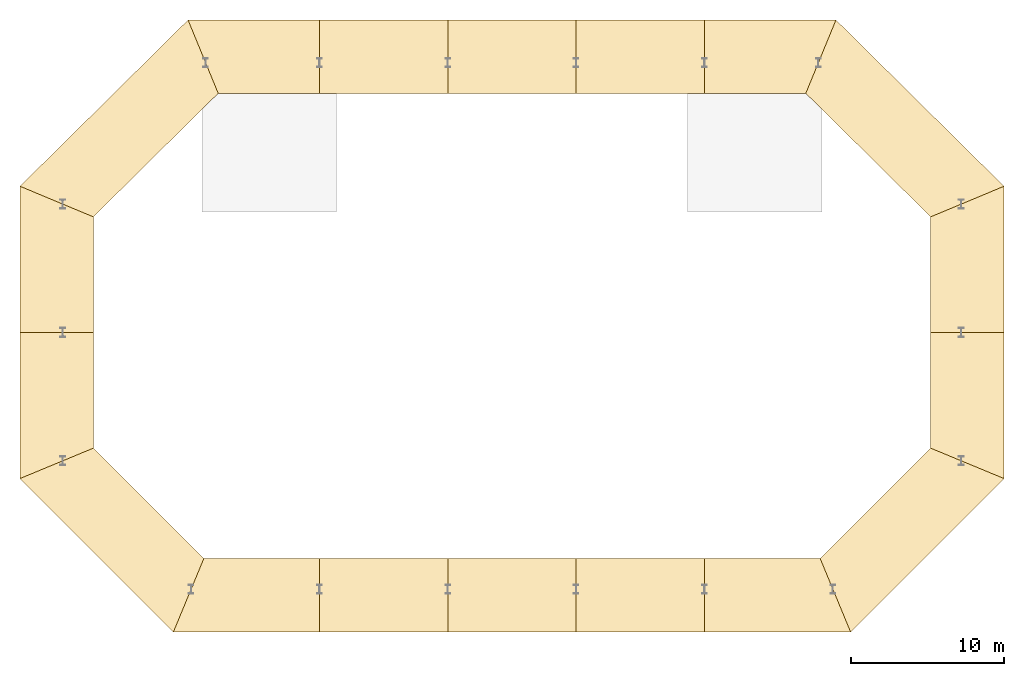
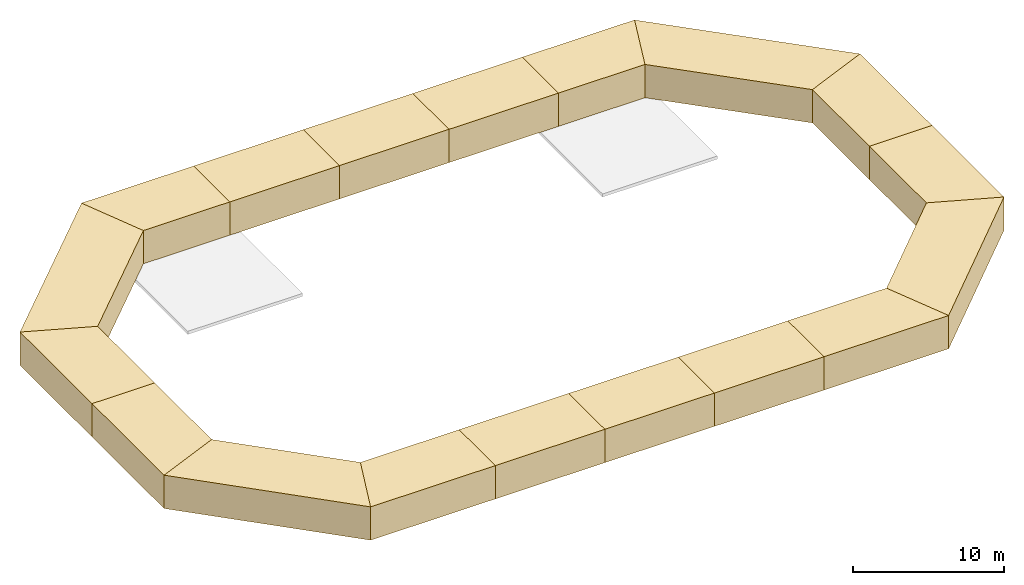
# One storey, part 3 of 3: 18 coverings.
"""IFC4 building model written with IfcOpenShell, lengths in metres."""

from ifc_helpers import new_model, si_unit, direction, frame, origin, place, context, subcontext, project, spatial, polyline, outline, extrude, material, layer, layer_set, type_object, element, save


model = new_model("IFC4")

# Units and contexts
model_context = context("Model", 3, precision=1e-05, world=origin(), true_north=direction((0.0, 1.0)))
body_context = subcontext(model_context, "Body", "Model", "MODEL_VIEW")
ifc_project = project(units=[si_unit("LENGTHUNIT", "METRE"), si_unit("AREAUNIT", "SQUARE_METRE"), si_unit("VOLUMEUNIT", "CUBIC_METRE"), si_unit("PLANEANGLEUNIT", "RADIAN"), si_unit("MASSUNIT", "GRAM", prefix="KILO")], contexts=[model_context])

# Site, building, storey
site_placement = place(None, origin())
site = spatial("IfcSite", under=ifc_project, at=site_placement, CompositionType="ELEMENT")
building_placement = place(site_placement, origin())
building = spatial("IfcBuilding", under=site, at=building_placement, Name="Saffron Gate Tower", CompositionType="ELEMENT")
storey_placement = place(building_placement, frame((0.0, 0.0, 322.85009765625)))
storey = spatial("IfcBuildingStorey", under=building, at=storey_placement, Name="Roof", CompositionType="ELEMENT", Elevation=322.85009765625)

# Coverings
ifc_material = material(Name="Bronze-anodised aluminium cladding panels", Category="aluminium")
ifc_layer = layer(ifc_material, 4.800048828125)
ifc_layer_set = layer_set([ifc_layer], Name="CH1 crown halo cladding")
covering_type = type_object("IfcCoveringType", Name="CH1 crown halo cladding", PredefinedType="CLADDING", material=ifc_layer_set)
covering_1_placement = place(storey_placement, frame((0.0, 0.0, 0.64990234375)))
element("IfcCovering", 1, at=covering_1_placement, inside=storey, type_object=covering_type, Name="CROWN HALO cladding", PredefinedType="CLADDING", context=body_context, shape_type="SweptSolid", body=[
    extrude(outline(polyline([(67.428466796875, 42.199951171875), (75.0, 42.199951171875), (75.0, 37.39990234375), (65.440185546875, 37.39990234375), (67.428466796875, 42.199951171875)])), origin(), (0.0, 0.0, 1.0), 2.699951171875),
])
covering_2_placement = place(storey_placement, frame((0.0, 0.0, 0.64990234375)))
element("IfcCovering", 2, at=covering_2_placement, inside=storey, type_object=covering_type, Name="CROWN HALO cladding", PredefinedType="CLADDING", context=body_context, shape_type="SweptSolid", body=[
    extrude(outline(polyline([(75.0, 42.199951171875), (83.39990234375, 42.199951171875), (83.39990234375, 37.39990234375), (75.0, 37.39990234375), (75.0, 42.199951171875)])), origin(), (0.0, 0.0, 1.0), 2.699951171875),
])
covering_3_placement = place(storey_placement, frame((0.0, 0.0, 0.64990234375)))
element("IfcCovering", 3, at=covering_3_placement, inside=storey, type_object=covering_type, Name="CROWN HALO cladding", PredefinedType="CLADDING", context=body_context, shape_type="SweptSolid", body=[
    extrude(outline(polyline([(83.39990234375, 42.199951171875), (91.800048828125, 42.199951171875), (91.800048828125, 37.39990234375), (83.39990234375, 37.39990234375), (83.39990234375, 42.199951171875)])), origin(), (0.0, 0.0, 1.0), 2.699951171875),
])
covering_4_placement = place(storey_placement, frame((0.0, 0.0, 0.64990234375)))
element("IfcCovering", 4, at=covering_4_placement, inside=storey, type_object=covering_type, Name="CROWN HALO cladding", PredefinedType="CLADDING", context=body_context, shape_type="SweptSolid", body=[
    extrude(outline(polyline([(91.800048828125, 42.199951171875), (100.199951171875, 42.199951171875), (100.199951171875, 37.39990234375), (91.800048828125, 37.39990234375), (91.800048828125, 42.199951171875)])), origin(), (0.0, 0.0, 1.0), 2.699951171875),
])
covering_5_placement = place(storey_placement, frame((0.0, 0.0, 0.64990234375)))
element("IfcCovering", 5, at=covering_5_placement, inside=storey, type_object=covering_type, Name="CROWN HALO cladding", PredefinedType="CLADDING", context=body_context, shape_type="SweptSolid", body=[
    extrude(outline(polyline([(100.199951171875, 42.199951171875), (107.771484375, 42.199951171875), (109.759765625, 37.39990234375), (100.199951171875, 37.39990234375), (100.199951171875, 42.199951171875)])), origin(), (0.0, 0.0, 1.0), 2.699951171875),
])
covering_6_placement = place(storey_placement, frame((0.0, 0.0, 0.64990234375)))
element("IfcCovering", 6, at=covering_6_placement, inside=storey, type_object=covering_type, Name="CROWN HALO cladding", PredefinedType="CLADDING", context=body_context, shape_type="SweptSolid", body=[
    extrude(outline(polyline([(107.771484375, 42.199951171875), (115.0, 49.428466796875), (119.800048828125, 47.440185546875), (109.759765625, 37.39990234375), (107.771484375, 42.199951171875)])), origin(), (0.0, 0.0, 1.0), 2.699951171875),
])
covering_7_placement = place(storey_placement, frame((0.0, 0.0, 0.64990234375)))
element("IfcCovering", 7, at=covering_7_placement, inside=storey, type_object=covering_type, Name="CROWN HALO cladding", PredefinedType="CLADDING", context=body_context, shape_type="SweptSolid", body=[
    extrude(outline(polyline([(115.0, 49.428466796875), (115.0, 57.0), (119.800048828125, 57.0), (119.800048828125, 47.440185546875), (115.0, 49.428466796875)])), origin(), (0.0, 0.0, 1.0), 2.699951171875),
])
covering_8_placement = place(storey_placement, frame((0.0, 0.0, 0.64990234375)))
element("IfcCovering", 8, at=covering_8_placement, inside=storey, type_object=covering_type, Name="CROWN HALO cladding", PredefinedType="CLADDING", context=body_context, shape_type="SweptSolid", body=[
    extrude(outline(polyline([(115.0, 57.0), (115.0, 64.565185546875), (119.800048828125, 66.568603515625), (119.800048828125, 57.0), (115.0, 57.0)])), origin(), (0.0, 0.0, 1.0), 2.699951171875),
])
covering_9_placement = place(storey_placement, frame((0.0, 0.0, 0.64990234375)))
element("IfcCovering", 9, at=covering_9_placement, inside=storey, type_object=covering_type, Name="CROWN HALO cladding", PredefinedType="CLADDING", context=body_context, shape_type="SweptSolid", body=[
    extrude(outline(polyline([(115.0, 64.565185546875), (106.827880859375, 72.64990234375), (108.801025390625, 77.449951171875), (119.800048828125, 66.568603515625), (115.0, 64.565185546875)])), origin(), (0.0, 0.0, 1.0), 2.699951171875),
])
covering_10_placement = place(storey_placement, frame((0.0, 0.0, 0.64990234375)))
element("IfcCovering", 10, at=covering_10_placement, inside=storey, type_object=covering_type, Name="CROWN HALO cladding", PredefinedType="CLADDING", context=body_context, shape_type="SweptSolid", body=[
    extrude(outline(polyline([(106.827880859375, 72.64990234375), (100.199951171875, 72.64990234375), (100.199951171875, 77.449951171875), (108.801025390625, 77.449951171875), (106.827880859375, 72.64990234375)])), origin(), (0.0, 0.0, 1.0), 2.699951171875),
])
covering_11_placement = place(storey_placement, frame((0.0, 0.0, 0.64990234375)))
element("IfcCovering", 11, at=covering_11_placement, inside=storey, type_object=covering_type, Name="CROWN HALO cladding", PredefinedType="CLADDING", context=body_context, shape_type="SweptSolid", body=[
    extrude(outline(polyline([(100.199951171875, 72.64990234375), (91.800048828125, 72.64990234375), (91.800048828125, 77.449951171875), (100.199951171875, 77.449951171875), (100.199951171875, 72.64990234375)])), origin(), (0.0, 0.0, 1.0), 2.699951171875),
])
covering_12_placement = place(storey_placement, frame((0.0, 0.0, 0.64990234375)))
element("IfcCovering", 12, at=covering_12_placement, inside=storey, type_object=covering_type, Name="CROWN HALO cladding", PredefinedType="CLADDING", context=body_context, shape_type="SweptSolid", body=[
    extrude(outline(polyline([(91.800048828125, 72.64990234375), (83.39990234375, 72.64990234375), (83.39990234375, 77.449951171875), (91.800048828125, 77.449951171875), (91.800048828125, 72.64990234375)])), origin(), (0.0, 0.0, 1.0), 2.699951171875),
])
covering_13_placement = place(storey_placement, frame((0.0, 0.0, 0.64990234375)))
element("IfcCovering", 13, at=covering_13_placement, inside=storey, type_object=covering_type, Name="CROWN HALO cladding", PredefinedType="CLADDING", context=body_context, shape_type="SweptSolid", body=[
    extrude(outline(polyline([(83.39990234375, 72.64990234375), (75.0, 72.64990234375), (75.0, 77.449951171875), (83.39990234375, 77.449951171875), (83.39990234375, 72.64990234375)])), origin(), (0.0, 0.0, 1.0), 2.699951171875),
])
covering_14_placement = place(storey_placement, frame((0.0, 0.0, 0.64990234375)))
element("IfcCovering", 14, at=covering_14_placement, inside=storey, type_object=covering_type, Name="CROWN HALO cladding", PredefinedType="CLADDING", context=body_context, shape_type="SweptSolid", body=[
    extrude(outline(polyline([(75.0, 72.64990234375), (68.3720703125, 72.64990234375), (66.39892578125, 77.449951171875), (75.0, 77.449951171875), (75.0, 72.64990234375)])), origin(), (0.0, 0.0, 1.0), 2.699951171875),
])
covering_15_placement = place(storey_placement, frame((0.0, 0.0, 0.64990234375)))
element("IfcCovering", 15, at=covering_15_placement, inside=storey, type_object=covering_type, Name="CROWN HALO cladding", PredefinedType="CLADDING", context=body_context, shape_type="SweptSolid", body=[
    extrude(outline(polyline([(68.3720703125, 72.64990234375), (60.199951171875, 64.565185546875), (55.39990234375, 66.568603515625), (66.39892578125, 77.449951171875), (68.3720703125, 72.64990234375)])), origin(), (0.0, 0.0, 1.0), 2.699951171875),
])
covering_16_placement = place(storey_placement, frame((0.0, 0.0, 0.64990234375)))
element("IfcCovering", 16, at=covering_16_placement, inside=storey, type_object=covering_type, Name="CROWN HALO cladding", PredefinedType="CLADDING", context=body_context, shape_type="SweptSolid", body=[
    extrude(outline(polyline([(60.199951171875, 64.565185546875), (60.199951171875, 57.0), (55.39990234375, 57.0), (55.39990234375, 66.568603515625), (60.199951171875, 64.565185546875)])), origin(), (0.0, 0.0, 1.0), 2.699951171875),
])
covering_17_placement = place(storey_placement, frame((0.0, 0.0, 0.64990234375)))
element("IfcCovering", 17, at=covering_17_placement, inside=storey, type_object=covering_type, Name="CROWN HALO cladding", PredefinedType="CLADDING", context=body_context, shape_type="SweptSolid", body=[
    extrude(outline(polyline([(60.199951171875, 57.0), (60.199951171875, 49.428466796875), (55.39990234375, 47.440185546875), (55.39990234375, 57.0), (60.199951171875, 57.0)])), origin(), (0.0, 0.0, 1.0), 2.699951171875),
])
covering_18_placement = place(storey_placement, frame((0.0, 0.0, 0.64990234375)))
element("IfcCovering", 18, at=covering_18_placement, inside=storey, type_object=covering_type, Name="CROWN HALO cladding", PredefinedType="CLADDING", context=body_context, shape_type="SweptSolid", body=[
    extrude(outline(polyline([(60.199951171875, 49.428466796875), (67.428466796875, 42.199951171875), (65.440185546875, 37.39990234375), (55.39990234375, 47.440185546875), (60.199951171875, 49.428466796875)])), origin(), (0.0, 0.0, 1.0), 2.699951171875),
])

save(model, "model.ifc")
